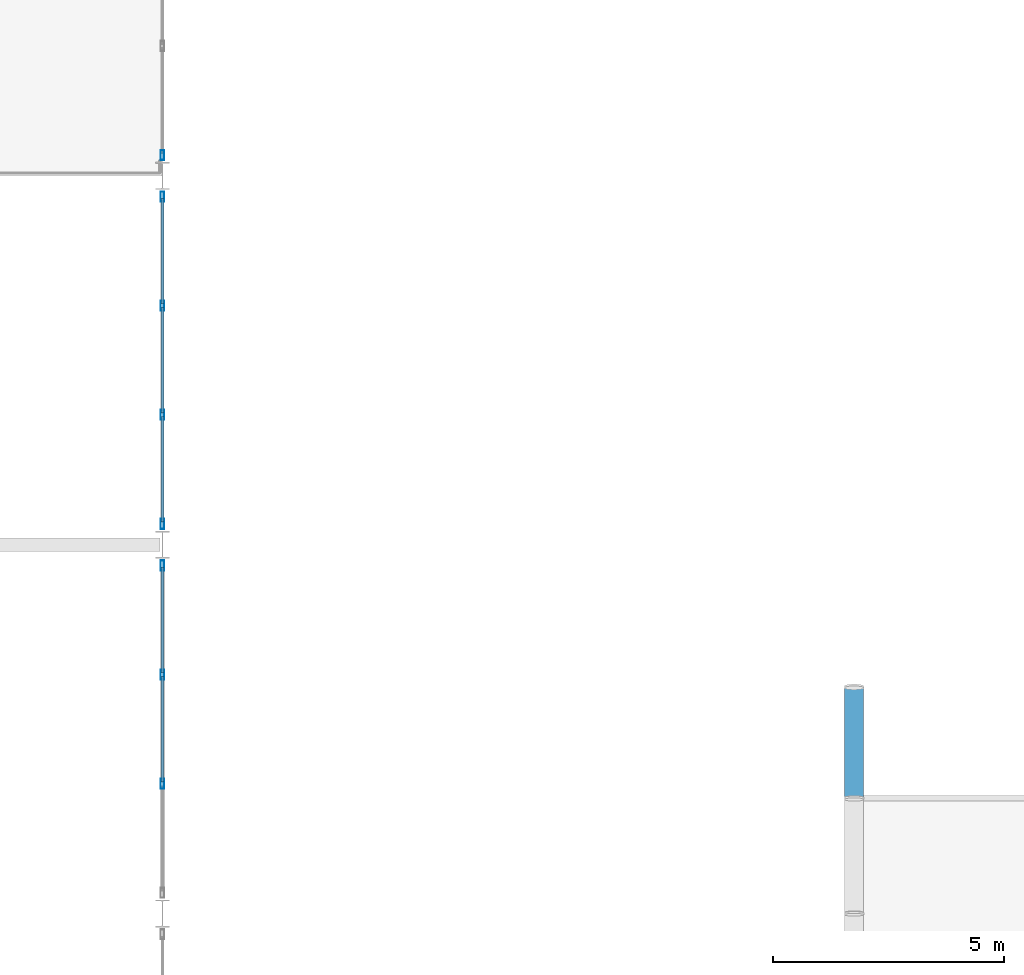
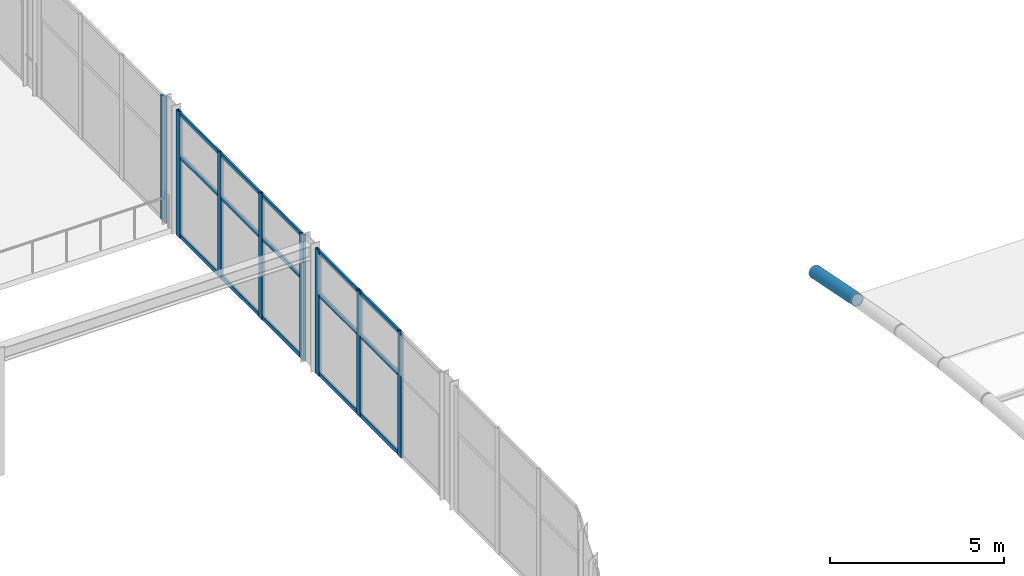
# One storey, part 45 of 105: 24 members, 3 elements without a shape of their own.
"""IFC4 building model written with IfcOpenShell, lengths in metres."""

from ifc_helpers import new_model, si_unit, direction, frame, origin, origin_2d, place, context, subcontext, project, spatial, hollow_rectangle, hollow_circle, extrude, material, layer, layer_set, material_profile, profile_set, type_object, element, aggregate, save


model = new_model("IFC4")

# Units and contexts
model_context = context("Model", 3, precision=1e-05, world=origin(), true_north=direction((0.0, 1.0)))
body_context = subcontext(model_context, "Body", "Model", "MODEL_VIEW")
ifc_project = project(units=[si_unit("LENGTHUNIT", "METRE"), si_unit("AREAUNIT", "SQUARE_METRE"), si_unit("VOLUMEUNIT", "CUBIC_METRE"), si_unit("PLANEANGLEUNIT", "RADIAN"), si_unit("MASSUNIT", "GRAM", prefix="KILO")], contexts=[model_context])

# Site, building, storey
site_placement = place(None, origin())
site = spatial("IfcSite", under=ifc_project, at=site_placement, CompositionType="ELEMENT")
building_placement = place(site_placement, origin())
building = spatial("IfcBuilding", under=site, at=building_placement, Name="Marlcrest Central Station", CompositionType="ELEMENT")
storey_placement = place(building_placement, frame((0.0, 0.0, 15.0)))
storey = spatial("IfcBuildingStorey", under=building, at=storey_placement, Name="L03", CompositionType="ELEMENT", Elevation=15.0)

# Member
ifc_material_1 = material(Name="Steel S355", Category="steel")
ifc_material_profile_1 = material_profile(ifc_material_1, hollow_circle(Radius=0.203125, WallThickness=0.02001953125, at=origin_2d()), Name="CHS 406.4x20")
ifc_profile_set_1 = profile_set([ifc_material_profile_1], Name="Steel S355")
member_type_1 = type_object("IfcMemberType", Name="AC-01", PredefinedType="CHORD", material=ifc_profile_set_1)
member_1_placement = place(storey_placement, frame((144.0, 81.0, 0.40380859375), z_axis=(0.0, 0.980359417961, -0.197219196874), x_axis=(-1.0, 0.0, 0.0)))
element("IfcMember", 1, at=member_1_placement, inside=storey, type_object=member_type_1, Name="mem-AC-01-L03-01164", PredefinedType="CHORD", context=body_context, shape_type="SweptSolid", body=[
    extrude(hollow_circle(Radius=0.203125, WallThickness=0.02001953125, at=origin_2d()), origin(), (0.0, 0.0, 1.0), 2.468505859375),
])

# Curtain wall, members
ifc_material_2 = material(Name="Anodised aluminium and hurricane laminated glass", Category="aluminium")
ifc_layer = layer(ifc_material_2, 0.219970703125, Name="CW-U1")
ifc_layer_set = layer_set([ifc_layer], Name="Anodised aluminium and hurricane laminated glass")
curtain_wall_type = type_object("IfcCurtainWallType", Name="CW-U1", PredefinedType="USERDEFINED", material=ifc_layer_set)
curtain_wall_1_placement = place(storey_placement, origin())
curtain_wall_1 = element("IfcCurtainWall", 2, at=curtain_wall_1_placement, inside=storey, type_object=curtain_wall_type, Name="cw-L03-0130", ObjectType="UNITISED_CURTAIN_WALL", PredefinedType="USERDEFINED")
ifc_material_3 = material(Name="Anodised aluminium 6063-T6", Category="aluminium")
ifc_material_profile_2 = material_profile(ifc_material_3, hollow_rectangle(XDim=0.080078125, YDim=0.219970703125, WallThickness=0.006103515625, at=origin_2d()), Name="AA-RHS 220x80x6")
ifc_profile_set_2 = profile_set([ifc_material_profile_2], Name="Anodised aluminium 6063-T6")
member_type_2 = type_object("IfcMemberType", Name="ML-01", PredefinedType="MULLION", material=ifc_profile_set_2)
member_2_placement = place(storey_placement, frame((129.0, 86.050048828125, -0.030029296875), z_axis=(0.0, 0.0, 1.0), x_axis=(1.0, 0.0, 0.0)))
member_2 = element("IfcMember", 3, at=member_2_placement, type_object=member_type_2, Name="cw-L03-0130-ml-0", PredefinedType="MULLION", context=body_context, shape_type="SweptSolid", body=[
    extrude(hollow_rectangle(XDim=0.080078125, YDim=0.219970703125, WallThickness=0.006103515625, at=origin_2d()), origin(), (0.0, 0.0, 1.0), 4.409912109375),
])
member_3_placement = place(storey_placement, frame((129.0, 83.683349609375, -0.030029296875), z_axis=(0.0, 0.0, 1.0), x_axis=(1.0, 0.0, 0.0)))
member_3 = element("IfcMember", 4, at=member_3_placement, type_object=member_type_2, Name="cw-L03-0130-ml-1", PredefinedType="MULLION", context=body_context, shape_type="SweptSolid", body=[
    extrude(hollow_rectangle(XDim=0.080078125, YDim=0.219970703125, WallThickness=0.006103515625, at=origin_2d()), origin(), (0.0, 0.0, 1.0), 4.409912109375),
])
member_4_placement = place(storey_placement, frame((129.0, 81.316650390625, -0.030029296875), z_axis=(0.0, 0.0, 1.0), x_axis=(1.0, 0.0, 0.0)))
member_4 = element("IfcMember", 5, at=member_4_placement, type_object=member_type_2, Name="cw-L03-0130-ml-2", PredefinedType="MULLION", context=body_context, shape_type="SweptSolid", body=[
    extrude(hollow_rectangle(XDim=0.080078125, YDim=0.219970703125, WallThickness=0.006103515625, at=origin_2d()), origin(), (0.0, 0.0, 1.0), 4.409912109375),
])

curtain_wall_2_placement = place(storey_placement, origin())
curtain_wall_2 = element("IfcCurtainWall", 6, at=curtain_wall_2_placement, inside=storey, type_object=curtain_wall_type, Name="cw-L03-0134", ObjectType="UNITISED_CURTAIN_WALL", PredefinedType="USERDEFINED")
member_5_placement = place(storey_placement, frame((129.0, 94.050048828125, -0.030029296875), z_axis=(0.0, 0.0, 1.0), x_axis=(1.0, 0.0, 0.0)))
member_5 = element("IfcMember", 7, at=member_5_placement, type_object=member_type_2, Name="cw-L03-0134-ml-0", PredefinedType="MULLION", context=body_context, shape_type="SweptSolid", body=[
    extrude(hollow_rectangle(XDim=0.080078125, YDim=0.219970703125, WallThickness=0.006103515625, at=origin_2d()), origin(), (0.0, 0.0, 1.0), 4.409912109375),
])
member_6_placement = place(storey_placement, frame((129.0, 91.683349609375, -0.030029296875), z_axis=(0.0, 0.0, 1.0), x_axis=(1.0, 0.0, 0.0)))
member_6 = element("IfcMember", 8, at=member_6_placement, type_object=member_type_2, Name="cw-L03-0134-ml-1", PredefinedType="MULLION", context=body_context, shape_type="SweptSolid", body=[
    extrude(hollow_rectangle(XDim=0.080078125, YDim=0.219970703125, WallThickness=0.006103515625, at=origin_2d()), origin(), (0.0, 0.0, 1.0), 4.409912109375),
])
member_7_placement = place(storey_placement, frame((129.0, 89.316650390625, -0.030029296875), z_axis=(0.0, 0.0, 1.0), x_axis=(1.0, 0.0, 0.0)))
member_7 = element("IfcMember", 9, at=member_7_placement, type_object=member_type_2, Name="cw-L03-0134-ml-2", PredefinedType="MULLION", context=body_context, shape_type="SweptSolid", body=[
    extrude(hollow_rectangle(XDim=0.080078125, YDim=0.219970703125, WallThickness=0.006103515625, at=origin_2d()), origin(), (0.0, 0.0, 1.0), 4.409912109375),
])
member_8_placement = place(storey_placement, frame((129.0, 86.949951171875, -0.030029296875), z_axis=(0.0, 0.0, 1.0), x_axis=(1.0, 0.0, 0.0)))
member_8 = element("IfcMember", 10, at=member_8_placement, type_object=member_type_2, Name="cw-L03-0134-ml-3", PredefinedType="MULLION", context=body_context, shape_type="SweptSolid", body=[
    extrude(hollow_rectangle(XDim=0.080078125, YDim=0.219970703125, WallThickness=0.006103515625, at=origin_2d()), origin(), (0.0, 0.0, 1.0), 4.409912109375),
])

# Curtain wall, member
curtain_wall_3_placement = place(storey_placement, origin())
curtain_wall_3 = element("IfcCurtainWall", 11, at=curtain_wall_3_placement, inside=storey, type_object=curtain_wall_type, Name="cw-L03-0138", ObjectType="UNITISED_CURTAIN_WALL", PredefinedType="USERDEFINED")
member_9_placement = place(storey_placement, frame((129.0, 94.949951171875, -0.030029296875), z_axis=(0.0, 0.0, 1.0), x_axis=(1.0, 0.0, 0.0)))
member_9 = element("IfcMember", 12, at=member_9_placement, type_object=member_type_2, Name="cw-L03-0138-ml-3", PredefinedType="MULLION", context=body_context, shape_type="SweptSolid", body=[
    extrude(hollow_rectangle(XDim=0.080078125, YDim=0.219970703125, WallThickness=0.006103515625, at=origin_2d()), origin(), (0.0, 0.0, 1.0), 4.409912109375),
])
aggregate(curtain_wall_3, [member_9])

# Member
ifc_material_profile_3 = material_profile(ifc_material_3, hollow_rectangle(XDim=0.06005859375, YDim=0.14990234375, WallThickness=0.00390625, at=origin_2d()), Name="AA-RHS 150x60x4")
ifc_profile_set_3 = profile_set([ifc_material_profile_3], Name="Anodised aluminium 6063-T6")
member_type_3 = type_object("IfcMemberType", Name="TR-01", PredefinedType="USERDEFINED", material=ifc_profile_set_3)
member_10_placement = place(storey_placement, frame((129.0, 86.011962890625, 0.0400390625), z_axis=(0.0, -1.0, 0.0), x_axis=(1.0, 0.0, 0.0)))
member_10 = element("IfcMember", 13, at=member_10_placement, type_object=member_type_3, Name="cw-L03-0130-tr-0-sill", ObjectType="TRANSOM", PredefinedType="USERDEFINED", context=body_context, shape_type="SweptSolid", body=[
    extrude(hollow_rectangle(XDim=0.06005859375, YDim=0.14990234375, WallThickness=0.00390625, at=origin_2d()), origin(), (0.0, 0.0, 1.0), 2.290771484375),
])

member_11_placement = place(storey_placement, frame((129.0, 86.011962890625, 2.827880859375), z_axis=(0.0, -1.0, 0.0), x_axis=(1.0, 0.0, 0.0)))
member_11 = element("IfcMember", 14, at=member_11_placement, type_object=member_type_3, Name="cw-L03-0130-tr-0-mid", ObjectType="TRANSOM", PredefinedType="USERDEFINED", context=body_context, shape_type="SweptSolid", body=[
    extrude(hollow_rectangle(XDim=0.06005859375, YDim=0.14990234375, WallThickness=0.00390625, at=origin_2d()), origin(), (0.0, 0.0, 1.0), 2.290771484375),
])

member_12_placement = place(storey_placement, frame((129.0, 86.011962890625, 4.31005859375), z_axis=(0.0, -1.0, 0.0), x_axis=(1.0, 0.0, 0.0)))
member_12 = element("IfcMember", 15, at=member_12_placement, type_object=member_type_3, Name="cw-L03-0130-tr-0-head", ObjectType="TRANSOM", PredefinedType="USERDEFINED", context=body_context, shape_type="SweptSolid", body=[
    extrude(hollow_rectangle(XDim=0.06005859375, YDim=0.14990234375, WallThickness=0.00390625, at=origin_2d()), origin(), (0.0, 0.0, 1.0), 2.290771484375),
])

member_13_placement = place(storey_placement, frame((129.0, 83.645263671875, 0.0400390625), z_axis=(0.0, -1.0, 0.0), x_axis=(1.0, 0.0, 0.0)))
member_13 = element("IfcMember", 16, at=member_13_placement, type_object=member_type_3, Name="cw-L03-0130-tr-1-sill", ObjectType="TRANSOM", PredefinedType="USERDEFINED", context=body_context, shape_type="SweptSolid", body=[
    extrude(hollow_rectangle(XDim=0.06005859375, YDim=0.14990234375, WallThickness=0.00390625, at=origin_2d()), origin(), (0.0, 0.0, 1.0), 2.29052734375),
])

member_14_placement = place(storey_placement, frame((129.0, 83.645263671875, 2.827880859375), z_axis=(0.0, -1.0, 0.0), x_axis=(1.0, 0.0, 0.0)))
member_14 = element("IfcMember", 17, at=member_14_placement, type_object=member_type_3, Name="cw-L03-0130-tr-1-mid", ObjectType="TRANSOM", PredefinedType="USERDEFINED", context=body_context, shape_type="SweptSolid", body=[
    extrude(hollow_rectangle(XDim=0.06005859375, YDim=0.14990234375, WallThickness=0.00390625, at=origin_2d()), origin(), (0.0, 0.0, 1.0), 2.29052734375),
])

member_15_placement = place(storey_placement, frame((129.0, 83.645263671875, 4.31005859375), z_axis=(0.0, -1.0, 0.0), x_axis=(1.0, 0.0, 0.0)))
member_15 = element("IfcMember", 18, at=member_15_placement, type_object=member_type_3, Name="cw-L03-0130-tr-1-head", ObjectType="TRANSOM", PredefinedType="USERDEFINED", context=body_context, shape_type="SweptSolid", body=[
    extrude(hollow_rectangle(XDim=0.06005859375, YDim=0.14990234375, WallThickness=0.00390625, at=origin_2d()), origin(), (0.0, 0.0, 1.0), 2.29052734375),
])

aggregate(curtain_wall_1, [member_2, member_3, member_4, member_10, member_11, member_12, member_13, member_14, member_15])

member_16_placement = place(storey_placement, frame((129.0, 94.011962890625, 0.0400390625), z_axis=(0.0, -1.0, 0.0), x_axis=(1.0, 0.0, 0.0)))
member_16 = element("IfcMember", 19, at=member_16_placement, type_object=member_type_3, Name="cw-L03-0134-tr-0-sill", ObjectType="TRANSOM", PredefinedType="USERDEFINED", context=body_context, shape_type="SweptSolid", body=[
    extrude(hollow_rectangle(XDim=0.06005859375, YDim=0.14990234375, WallThickness=0.00390625, at=origin_2d()), origin(), (0.0, 0.0, 1.0), 2.290771484375),
])

member_17_placement = place(storey_placement, frame((129.0, 94.011962890625, 2.827880859375), z_axis=(0.0, -1.0, 0.0), x_axis=(1.0, 0.0, 0.0)))
member_17 = element("IfcMember", 20, at=member_17_placement, type_object=member_type_3, Name="cw-L03-0134-tr-0-mid", ObjectType="TRANSOM", PredefinedType="USERDEFINED", context=body_context, shape_type="SweptSolid", body=[
    extrude(hollow_rectangle(XDim=0.06005859375, YDim=0.14990234375, WallThickness=0.00390625, at=origin_2d()), origin(), (0.0, 0.0, 1.0), 2.290771484375),
])

member_18_placement = place(storey_placement, frame((129.0, 94.011962890625, 4.31005859375), z_axis=(0.0, -1.0, 0.0), x_axis=(1.0, 0.0, 0.0)))
member_18 = element("IfcMember", 21, at=member_18_placement, type_object=member_type_3, Name="cw-L03-0134-tr-0-head", ObjectType="TRANSOM", PredefinedType="USERDEFINED", context=body_context, shape_type="SweptSolid", body=[
    extrude(hollow_rectangle(XDim=0.06005859375, YDim=0.14990234375, WallThickness=0.00390625, at=origin_2d()), origin(), (0.0, 0.0, 1.0), 2.290771484375),
])

member_19_placement = place(storey_placement, frame((129.0, 91.645263671875, 0.0400390625), z_axis=(0.0, -1.0, 0.0), x_axis=(1.0, 0.0, 0.0)))
member_19 = element("IfcMember", 22, at=member_19_placement, type_object=member_type_3, Name="cw-L03-0134-tr-1-sill", ObjectType="TRANSOM", PredefinedType="USERDEFINED", context=body_context, shape_type="SweptSolid", body=[
    extrude(hollow_rectangle(XDim=0.06005859375, YDim=0.14990234375, WallThickness=0.00390625, at=origin_2d()), origin(), (0.0, 0.0, 1.0), 2.29052734375),
])

member_20_placement = place(storey_placement, frame((129.0, 91.645263671875, 2.827880859375), z_axis=(0.0, -1.0, 0.0), x_axis=(1.0, 0.0, 0.0)))
member_20 = element("IfcMember", 23, at=member_20_placement, type_object=member_type_3, Name="cw-L03-0134-tr-1-mid", ObjectType="TRANSOM", PredefinedType="USERDEFINED", context=body_context, shape_type="SweptSolid", body=[
    extrude(hollow_rectangle(XDim=0.06005859375, YDim=0.14990234375, WallThickness=0.00390625, at=origin_2d()), origin(), (0.0, 0.0, 1.0), 2.29052734375),
])

member_21_placement = place(storey_placement, frame((129.0, 91.645263671875, 4.31005859375), z_axis=(0.0, -1.0, 0.0), x_axis=(1.0, 0.0, 0.0)))
member_21 = element("IfcMember", 24, at=member_21_placement, type_object=member_type_3, Name="cw-L03-0134-tr-1-head", ObjectType="TRANSOM", PredefinedType="USERDEFINED", context=body_context, shape_type="SweptSolid", body=[
    extrude(hollow_rectangle(XDim=0.06005859375, YDim=0.14990234375, WallThickness=0.00390625, at=origin_2d()), origin(), (0.0, 0.0, 1.0), 2.29052734375),
])

member_22_placement = place(storey_placement, frame((129.0, 89.27880859375, 0.0400390625), z_axis=(0.0, -1.0, 0.0), x_axis=(1.0, 0.0, 0.0)))
member_22 = element("IfcMember", 25, at=member_22_placement, type_object=member_type_3, Name="cw-L03-0134-tr-2-sill", ObjectType="TRANSOM", PredefinedType="USERDEFINED", context=body_context, shape_type="SweptSolid", body=[
    extrude(hollow_rectangle(XDim=0.06005859375, YDim=0.14990234375, WallThickness=0.00390625, at=origin_2d()), origin(), (0.0, 0.0, 1.0), 2.290771484375),
])

member_23_placement = place(storey_placement, frame((129.0, 89.27880859375, 2.827880859375), z_axis=(0.0, -1.0, 0.0), x_axis=(1.0, 0.0, 0.0)))
member_23 = element("IfcMember", 26, at=member_23_placement, type_object=member_type_3, Name="cw-L03-0134-tr-2-mid", ObjectType="TRANSOM", PredefinedType="USERDEFINED", context=body_context, shape_type="SweptSolid", body=[
    extrude(hollow_rectangle(XDim=0.06005859375, YDim=0.14990234375, WallThickness=0.00390625, at=origin_2d()), origin(), (0.0, 0.0, 1.0), 2.290771484375),
])

member_24_placement = place(storey_placement, frame((129.0, 89.27880859375, 4.31005859375), z_axis=(0.0, -1.0, 0.0), x_axis=(1.0, 0.0, 0.0)))
member_24 = element("IfcMember", 27, at=member_24_placement, type_object=member_type_3, Name="cw-L03-0134-tr-2-head", ObjectType="TRANSOM", PredefinedType="USERDEFINED", context=body_context, shape_type="SweptSolid", body=[
    extrude(hollow_rectangle(XDim=0.06005859375, YDim=0.14990234375, WallThickness=0.00390625, at=origin_2d()), origin(), (0.0, 0.0, 1.0), 2.290771484375),
])

aggregate(curtain_wall_2, [member_5, member_6, member_7, member_8, member_16, member_17, member_18, member_19, member_20, member_21, member_22, member_23, member_24])

save(model, "model.ifc")
